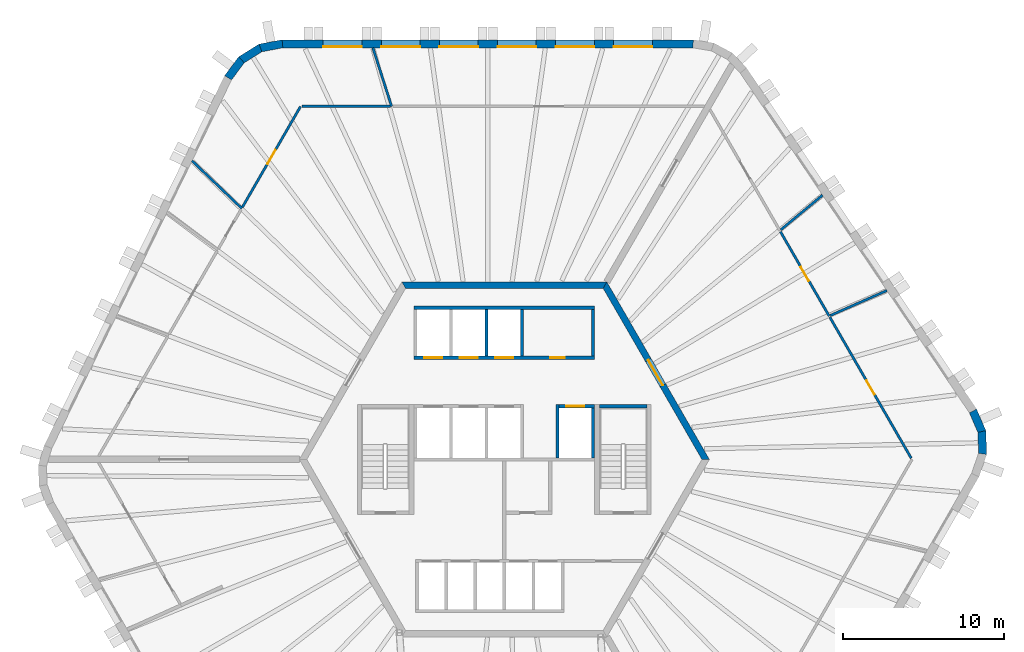
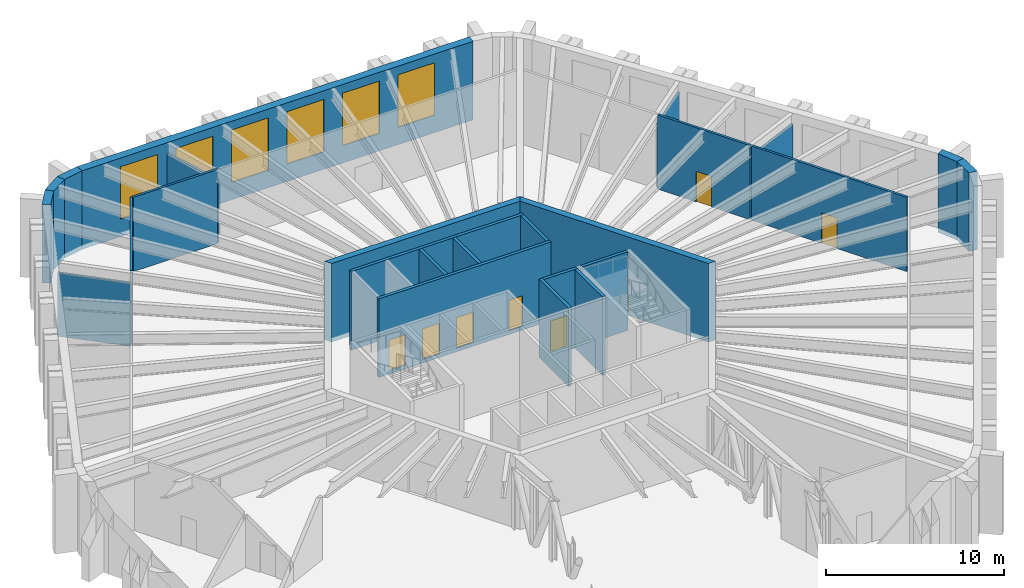
# One storey, part 6 of 9: 25 walls, 9 doors, 6 windows, 15 openings.
"""IFC4 building model written with IfcOpenShell, lengths in metres."""

from ifc_helpers import new_model, si_unit, direction, frame, frame_2d, origin, place, context, subcontext, project, spatial, polyline, rectangle, outline, extrude, material, layer, layer_set, type_object, element, fill, save


model = new_model("IFC4")

# Units and contexts
model_context = context("Model", 3, precision=1e-05, world=origin(), true_north=direction((0.0, 1.0)))
body_context = subcontext(model_context, "Body", "Model", "MODEL_VIEW")
ifc_project = project(units=[si_unit("LENGTHUNIT", "METRE"), si_unit("AREAUNIT", "SQUARE_METRE"), si_unit("VOLUMEUNIT", "CUBIC_METRE"), si_unit("PLANEANGLEUNIT", "RADIAN"), si_unit("MASSUNIT", "GRAM", prefix="KILO")], contexts=[model_context])

# Site, building, storey
site_placement = place(None, origin())
site = spatial("IfcSite", under=ifc_project, at=site_placement, CompositionType="ELEMENT")
building_placement = place(site_placement, origin())
building = spatial("IfcBuilding", under=site, at=building_placement, Name="Tarnside Tower", CompositionType="ELEMENT")
storey_placement = place(building_placement, frame((0.0, 0.0, 338.10009765625)))
storey = spatial("IfcBuildingStorey", under=building, at=storey_placement, Name="L82", CompositionType="ELEMENT", Elevation=338.10009765625)

# Wall, opening, door
ifc_material_1 = material(Name="Concrete C60/75", Category="concrete")
ifc_layer_1 = layer(ifc_material_1, 0.39990234375)
ifc_layer_set_1 = layer_set([ifc_layer_1], Name="Core wall Z3 400 C60/75")
wall_type_1 = type_object("IfcWallType", Name="Core wall Z3 400 C60/75", PredefinedType="SHEAR", material=ifc_layer_set_1)
wall_1_placement = place(storey_placement, frame((12.470703125, 0.0, -0.300048828125), z_axis=(0.0, 0.0, 1.0), x_axis=(-0.499996419489, 0.866027470984, 0.0)))
wall_1 = element("IfcWall", 1, at=wall_1_placement, inside=storey, type_object=wall_type_1, Name="L82 core wall face 6", PredefinedType="SHEAR", context=body_context, shape_type="SweptSolid", body=[
    extrude(outline(polyline([(-0.115478515625, -0.199951171875), (12.586181640625, -0.199951171875), (12.355224609375, 0.199951171875), (0.115478515625, 0.199951171875), (-0.115478515625, -0.199951171875)])), origin(), (0.0, 0.0, 1.0), 5.39990234375),
])
opening_1_placement = place(wall_1_placement, frame((5.306396484375, 0.0, 0.300048828125)))
opening_1 = element("IfcOpeningElement", 2, at=opening_1_placement, cuts=wall_1, Name="Opening CD-LOB", PredefinedType="OPENING", context=body_context, shape_type="SweptSolid", body=[
    extrude(rectangle(XDim=1.800048828125, YDim=2.39990234375, at=frame_2d((0.89990234375, 1.199951171875))), frame((0.0, 0.2099609375, 0.0), z_axis=(0.0, -1.0, 0.0), x_axis=(1.0, 0.0, 0.0)), (0.0, 0.0, 1.0), 0.419921875),
])
ifc_material_2 = material(Name="Steel fire door", Category="steel")
door_type_1 = type_object("IfcDoorType", Name="Lobby double door FD30S 1800x2400", OperationType="NOTDEFINED", PredefinedType="DOOR", material=ifc_material_2)
door_1_placement = place(opening_1_placement, origin())
door_1 = element("IfcDoor", 3, at=door_1_placement, inside=storey, type_object=door_type_1, Name="L82 core door P2", OperationType="DOUBLE_DOOR_SINGLE_SWING", OverallHeight=2.39990234375, OverallWidth=1.800048828125, PredefinedType="DOOR", context=body_context, shape_type="SweptSolid", body=[
    extrude(rectangle(XDim=1.800048828125, YDim=2.39990234375, at=frame_2d((0.89990234375, 1.199951171875))), frame((0.0, 0.02490234375, 0.0), z_axis=(0.0, -1.0, 0.0), x_axis=(1.0, 0.0, 0.0)), (0.0, 0.0, 1.0), 0.050048828125),
])
fill(opening_1, door_1)

# Wall
wall_2_placement = place(storey_placement, frame((6.2353515625, 10.800048828125, -0.300048828125), z_axis=(0.0, 0.0, 1.0), x_axis=(-1.0, 0.0, 0.0)))
element("IfcWall", 4, at=wall_2_placement, inside=storey, type_object=wall_type_1, Name="L82 core wall face 1", PredefinedType="SHEAR", context=body_context, shape_type="SweptSolid", body=[
    extrude(outline(polyline([(-0.115478515625, -0.199951171875), (12.586181640625, -0.199951171875), (12.355224609375, 0.199951171875), (0.115478515625, 0.199951171875), (-0.115478515625, -0.199951171875)])), origin(), (0.0, 0.0, 1.0), 5.39990234375),
])

# Wall, openings, doors
ifc_material_3 = material(Name="Concrete C40/50", Category="concrete")
ifc_layer_2 = layer(ifc_material_3, 0.199951171875)
ifc_layer_set_2 = layer_set([ifc_layer_2], Name="Lift shaft wall 200 C40/50")
wall_type_2 = type_object("IfcWallType", Name="Lift shaft wall 200 C40/50", PredefinedType="SHEAR", material=ifc_layer_set_2)
wall_3_placement = place(storey_placement, frame((-5.60009765625, 6.300048828125, -0.25), z_axis=(0.0, 0.0, 1.0), x_axis=(1.0, 0.0, 0.0)))
wall_3 = element("IfcWall", 5, at=wall_3_placement, inside=storey, type_object=wall_type_2, Name="L82 lift shaft front wall R1", PredefinedType="SHEAR", context=body_context, shape_type="SweptSolid", body=[
    extrude(rectangle(XDim=11.2001953125, YDim=0.199951171875, at=frame_2d((5.60009765625, 0.0))), origin(), (0.0, 0.0, 1.0), 5.39990234375),
])
opening_2_placement = place(wall_3_placement, frame((8.449951171875, 0.0, 0.25)))
opening_2 = element("IfcOpeningElement", 6, at=opening_2_placement, cuts=wall_3, Name="Opening CD-room", PredefinedType="OPENING", context=body_context, shape_type="SweptSolid", body=[
    extrude(rectangle(XDim=0.89990234375, YDim=2.10009765625, at=frame_2d((0.449951171875, 1.050048828125))), frame((0.0, 0.10986328125, 0.0), z_axis=(0.0, -1.0, 0.0), x_axis=(1.0, 0.0, 0.0)), (0.0, 0.0, 1.0), 0.219970703125),
])
opening_3_placement = place(wall_3_placement, frame((0.64990234375, 0.0, 0.25)))
opening_3 = element("IfcOpeningElement", 7, at=opening_3_placement, cuts=wall_3, Name="Opening LD", PredefinedType="OPENING", context=body_context, shape_type="SweptSolid", body=[
    extrude(rectangle(XDim=1.10009765625, YDim=2.10009765625, at=frame_2d((0.550048828125, 1.050048828125))), frame((0.0, 0.10986328125, 0.0), z_axis=(0.0, -1.0, 0.0), x_axis=(1.0, 0.0, 0.0)), (0.0, 0.0, 1.0), 0.219970703125),
])
opening_4_placement = place(wall_3_placement, frame((2.85009765625, 0.0, 0.25)))
opening_4 = element("IfcOpeningElement", 8, at=opening_4_placement, cuts=wall_3, Name="Opening LD", PredefinedType="OPENING", context=body_context, shape_type="SweptSolid", body=[
    extrude(rectangle(XDim=1.10009765625, YDim=2.10009765625, at=frame_2d((0.550048828125, 1.050048828125))), frame((0.0, 0.10986328125, 0.0), z_axis=(0.0, -1.0, 0.0), x_axis=(1.0, 0.0, 0.0)), (0.0, 0.0, 1.0), 0.219970703125),
])
opening_5_placement = place(wall_3_placement, frame((5.050048828125, 0.0, 0.25)))
opening_5 = element("IfcOpeningElement", 9, at=opening_5_placement, cuts=wall_3, Name="Opening LD", PredefinedType="OPENING", context=body_context, shape_type="SweptSolid", body=[
    extrude(rectangle(XDim=1.10009765625, YDim=2.10009765625, at=frame_2d((0.550048828125, 1.050048828125))), frame((0.0, 0.10986328125, 0.0), z_axis=(0.0, -1.0, 0.0), x_axis=(1.0, 0.0, 0.0)), (0.0, 0.0, 1.0), 0.219970703125),
])
ifc_material_4 = material(Name="Stainless steel", Category="steel")
door_type_2 = type_object("IfcDoorType", Name="Lift landing door 1100x2100", OperationType="NOTDEFINED", PredefinedType="DOOR", material=ifc_material_4)
door_2_placement = place(opening_3_placement, origin())
door_2 = element("IfcDoor", 10, at=door_2_placement, inside=storey, type_object=door_type_2, Name="High-rise lift 1 landing door L82", OperationType="SLIDING_TO_LEFT", OverallHeight=2.10009765625, OverallWidth=1.10009765625, PredefinedType="DOOR", context=body_context, shape_type="SweptSolid", body=[
    extrude(rectangle(XDim=1.10009765625, YDim=2.10009765625, at=frame_2d((0.550048828125, 1.050048828125))), frame((0.0, 0.02490234375, 0.0), z_axis=(0.0, -1.0, 0.0), x_axis=(1.0, 0.0, 0.0)), (0.0, 0.0, 1.0), 0.050048828125),
])
fill(opening_3, door_2)
door_3_placement = place(opening_4_placement, origin())
door_3 = element("IfcDoor", 11, at=door_3_placement, inside=storey, type_object=door_type_2, Name="High-rise lift 2 landing door L82", OperationType="SLIDING_TO_LEFT", OverallHeight=2.10009765625, OverallWidth=1.10009765625, PredefinedType="DOOR", context=body_context, shape_type="SweptSolid", body=[
    extrude(rectangle(XDim=1.10009765625, YDim=2.10009765625, at=frame_2d((0.550048828125, 1.050048828125))), frame((0.0, 0.02490234375, 0.0), z_axis=(0.0, -1.0, 0.0), x_axis=(1.0, 0.0, 0.0)), (0.0, 0.0, 1.0), 0.050048828125),
])
fill(opening_4, door_3)
door_4_placement = place(opening_5_placement, origin())
door_4 = element("IfcDoor", 12, at=door_4_placement, inside=storey, type_object=door_type_2, Name="High-rise lift 3 landing door L82", OperationType="SLIDING_TO_LEFT", OverallHeight=2.10009765625, OverallWidth=1.10009765625, PredefinedType="DOOR", context=body_context, shape_type="SweptSolid", body=[
    extrude(rectangle(XDim=1.10009765625, YDim=2.10009765625, at=frame_2d((0.550048828125, 1.050048828125))), frame((0.0, 0.02490234375, 0.0), z_axis=(0.0, -1.0, 0.0), x_axis=(1.0, 0.0, 0.0)), (0.0, 0.0, 1.0), 0.050048828125),
])
fill(opening_5, door_4)
door_type_3 = type_object("IfcDoorType", Name="Room door FD60 900x2100", OperationType="NOTDEFINED", PredefinedType="DOOR", material=ifc_material_2)
door_5_placement = place(opening_2_placement, origin())
door_5 = element("IfcDoor", 13, at=door_5_placement, inside=storey, type_object=door_type_3, Name="L82 core room door FC1", OperationType="SINGLE_SWING_LEFT", OverallHeight=2.10009765625, OverallWidth=0.89990234375, PredefinedType="DOOR", context=body_context, shape_type="SweptSolid", body=[
    extrude(rectangle(XDim=0.89990234375, YDim=2.10009765625, at=frame_2d((0.449951171875, 1.050048828125))), frame((0.0, 0.02490234375, 0.0), z_axis=(0.0, -1.0, 0.0), x_axis=(1.0, 0.0, 0.0)), (0.0, 0.0, 1.0), 0.050048828125),
])
fill(opening_2, door_5)

# Walls
wall_4_placement = place(storey_placement, frame((-5.60009765625, 9.39990234375, -0.25), z_axis=(0.0, 0.0, 1.0), x_axis=(1.0, 0.0, 0.0)))
element("IfcWall", 14, at=wall_4_placement, inside=storey, type_object=wall_type_2, Name="L82 lift shaft back wall R1", PredefinedType="SHEAR", context=body_context, shape_type="SweptSolid", body=[
    extrude(rectangle(XDim=11.2001953125, YDim=0.199951171875, at=frame_2d((5.60009765625, 0.0))), origin(), (0.0, 0.0, 1.0), 5.39990234375),
])
for number, where, z_axis, x_axis, name in (
    (15, (-1.10009765625, 6.39990234375, -0.25), (0.0, 0.0, 1.0), (0.0, 1.0, 0.0), "L82 lift shaft partition R13"),
    (16, (1.10009765625, 6.39990234375, -0.25), (0.0, 0.0, 1.0), (0.0, 1.0, 0.0), "L82 lift shaft partition R14"),
    (17, (5.5, 6.39990234375, -0.25), (0.0, 0.0, 1.0), (0.0, 1.0, 0.0), "L82 lift shaft partition R16"),
):
    element("IfcWall", number, at=place(storey_placement, frame(where, z_axis=z_axis, x_axis=x_axis)), inside=storey, type_object=wall_type_2, Name=name, PredefinedType="SHEAR", context=body_context, shape_type="SweptSolid", body=[
        extrude(rectangle(XDim=2.900146484375, YDim=0.199951171875, at=frame_2d((1.4501953125, 0.0))), origin(), (0.0, 0.0, 1.0), 5.39990234375),
    ])

# Wall, opening, door
wall_5_placement = place(storey_placement, frame((3.39990234375, 3.300048828125, -0.25), z_axis=(0.0, 0.0, 1.0), x_axis=(1.0, 0.0, 0.0)))
wall_5 = element("IfcWall", 18, at=wall_5_placement, inside=storey, type_object=wall_type_2, Name="L82 lift shaft front wall R2 2", PredefinedType="SHEAR", context=body_context, shape_type="SweptSolid", body=[
    extrude(rectangle(XDim=2.2001953125, YDim=0.199951171875, at=frame_2d((1.10009765625, 0.0))), origin(), (0.0, 0.0, 1.0), 5.39990234375),
])
opening_6_placement = place(wall_5_placement, frame((0.449951171875, 0.0, 0.25)))
opening_6 = element("IfcOpeningElement", 19, at=opening_6_placement, cuts=wall_5, Name="Opening LD", PredefinedType="OPENING", context=body_context, shape_type="SweptSolid", body=[
    extrude(rectangle(XDim=1.10009765625, YDim=2.10009765625, at=frame_2d((0.550048828125, 1.050048828125))), frame((0.0, 0.10986328125, 0.0), z_axis=(0.0, -1.0, 0.0), x_axis=(1.0, 0.0, 0.0)), (0.0, 0.0, 1.0), 0.219970703125),
])
door_6_placement = place(opening_6_placement, origin())
door_6 = element("IfcDoor", 20, at=door_6_placement, inside=storey, type_object=door_type_2, Name="Express sky-lobby shuttle 2 landing door L82", OperationType="SLIDING_TO_LEFT", OverallHeight=2.10009765625, OverallWidth=1.10009765625, PredefinedType="DOOR", context=body_context, shape_type="SweptSolid", body=[
    extrude(rectangle(XDim=1.10009765625, YDim=2.10009765625, at=frame_2d((0.550048828125, 1.050048828125))), frame((0.0, 0.02490234375, 0.0), z_axis=(0.0, -1.0, 0.0), x_axis=(1.0, 0.0, 0.0)), (0.0, 0.0, 1.0), 0.050048828125),
])
fill(opening_6, door_6)

# Walls
wall_6_placement = place(storey_placement, frame((3.300048828125, 0.10009765625, -0.25), z_axis=(0.0, 0.0, 1.0), x_axis=(0.0, 1.0, 0.0)))
element("IfcWall", 21, at=wall_6_placement, inside=storey, type_object=wall_type_2, Name="L82 lift shaft partition R25", PredefinedType="SHEAR", context=body_context, shape_type="SweptSolid", body=[
    extrude(rectangle(XDim=3.2998046875, YDim=0.199951171875, at=frame_2d((1.64990234375, 0.0))), origin(), (0.0, 0.0, 1.0), 5.39990234375),
])
wall_7_placement = place(storey_placement, frame((5.5, 0.10009765625, -0.25), z_axis=(0.0, 0.0, 1.0), x_axis=(0.0, 1.0, 0.0)))
element("IfcWall", 22, at=wall_7_placement, inside=storey, type_object=wall_type_2, Name="L82 lift shaft partition R26", PredefinedType="SHEAR", context=body_context, shape_type="SweptSolid", body=[
    extrude(rectangle(XDim=3.099853515625, YDim=0.199951171875, at=frame_2d((1.5498046875, 0.0))), origin(), (0.0, 0.0, 1.0), 5.39990234375),
])
wall_8_placement = place(storey_placement, frame((5.89990234375, 3.300048828125, -0.25), z_axis=(0.0, 0.0, 1.0), x_axis=(1.0, 0.0, 0.0)))
element("IfcWall", 23, at=wall_8_placement, inside=storey, type_object=wall_type_2, Name="L82 stair 1 enclosure cap wall n", PredefinedType="SHEAR", context=body_context, shape_type="SweptSolid", body=[
    extrude(rectangle(XDim=2.9501953125, YDim=0.199951171875, at=frame_2d((1.47509765625, 0.0))), origin(), (0.0, 0.0, 1.0), 5.39990234375),
])
ifc_material_5 = material(Name="Gypsum board")
ifc_layer_3 = layer(ifc_material_5, 0.14990234375)
ifc_layer_set_3 = layer_set([ifc_layer_3], Name="Partition 150 gypsum board on metal stud")
wall_type_3 = type_object("IfcWallType", Name="Partition 150 gypsum board on metal stud", PredefinedType="PARTITIONING", material=ifc_layer_set_3)
wall_9_placement = place(storey_placement, frame((-19.34912109375, 18.4990234375, 0.0), z_axis=(0.0, 0.0, 1.0), x_axis=(0.722785064333, -0.691072898309, 0.0)))
element("IfcWall", 24, at=wall_9_placement, inside=storey, type_object=wall_type_3, Name="Partition 008", PredefinedType="PARTITIONING", context=body_context, shape_type="SweptSolid", body=[
    extrude(rectangle(XDim=4.25732421875, YDim=0.14990234375, at=frame_2d((2.128662109375, 0.0))), origin(), (0.0, 0.0, 1.0), 4.345947265625),
])

# Wall, opening, door
wall_10_placement = place(storey_placement, frame((-16.2333984375, 15.623779296875, 0.0), z_axis=(0.0, 0.0, 1.0), x_axis=(0.500012524703, 0.866018172523, 0.0)))
wall_10 = element("IfcWall", 25, at=wall_10_placement, inside=storey, type_object=wall_type_3, Name="Partition 012", PredefinedType="PARTITIONING", context=body_context, shape_type="SweptSolid", body=[
    extrude(rectangle(XDim=7.212646484375, YDim=0.14990234375, at=frame_2d((3.6064453125, 0.0))), origin(), (0.0, 0.0, 1.0), 5.099853515625),
])
opening_7_placement = place(wall_10_placement, frame((3.106201171875, 0.0, 0.0)))
opening_7 = element("IfcOpeningElement", 26, at=opening_7_placement, cuts=wall_10, Name="Opening D1000F30", PredefinedType="OPENING", context=body_context, shape_type="SweptSolid", body=[
    extrude(rectangle(XDim=1.0, YDim=2.10009765625, at=frame_2d((0.5, 1.050048828125))), frame((0.0, 0.0849609375, 0.0), z_axis=(0.0, -1.0, 0.0), x_axis=(1.0, 0.0, 0.0)), (0.0, 0.0, 1.0), 0.169921875),
])
ifc_material_6 = material(Name="Timber door leaf", Category="wood")
door_type_4 = type_object("IfcDoorType", Name="Door 1000 x 2100 single leaf FD30S fire door", OperationType="NOTDEFINED", PredefinedType="DOOR", material=ifc_material_6)
door_7_placement = place(opening_7_placement, origin())
door_7 = element("IfcDoor", 27, at=door_7_placement, inside=storey, type_object=door_type_4, Name="Door L82-06", OperationType="SINGLE_SWING_LEFT", OverallHeight=2.10009765625, OverallWidth=1.0, PredefinedType="DOOR", context=body_context, shape_type="SweptSolid", body=[
    extrude(rectangle(XDim=1.0, YDim=2.10009765625, at=frame_2d((0.5, 1.050048828125))), frame((0.0, 0.02490234375, 0.0), z_axis=(0.0, -1.0, 0.0), x_axis=(1.0, 0.0, 0.0)), (0.0, 0.0, 1.0), 0.050048828125),
])
fill(opening_7, door_7)

# Walls
wall_11_placement = place(storey_placement, frame((-8.14501953125, 25.5, 0.0), z_axis=(0.0, 0.0, 1.0), x_axis=(0.304382836825, -0.952549782765, 0.0)))
element("IfcWall", 28, at=wall_11_placement, inside=storey, type_object=wall_type_3, Name="Partition 013", PredefinedType="PARTITIONING", context=body_context, shape_type="SweptSolid", body=[
    extrude(rectangle(XDim=3.810791015625, YDim=0.14990234375, at=frame_2d((1.9052734375, 0.0))), origin(), (0.0, 0.0, 1.0), 4.345947265625),
])
wall_12_placement = place(storey_placement, frame((-7.063720703125, 21.8701171875, 0.0), z_axis=(0.0, 0.0, 1.0), x_axis=(-1.0, 0.0, 0.0)))
element("IfcWall", 29, at=wall_12_placement, inside=storey, type_object=wall_type_3, Name="Partition 014", PredefinedType="PARTITIONING", context=body_context, shape_type="SweptSolid", body=[
    extrude(rectangle(XDim=5.4765625, YDim=0.14990234375, at=frame_2d((2.73828125, 0.0))), origin(), (0.0, 0.0, 1.0), 5.099853515625),
])
wall_13_placement = place(storey_placement, frame((19.714111328125, 16.3740234375, 0.0), z_axis=(0.0, 0.0, 1.0), x_axis=(-0.769119005656, -0.639105589976, 0.0)))
element("IfcWall", 30, at=wall_13_placement, inside=storey, type_object=wall_type_3, Name="Partition 021", PredefinedType="PARTITIONING", context=body_context, shape_type="SweptSolid", body=[
    extrude(rectangle(XDim=3.36328125, YDim=0.14990234375, at=frame_2d((1.681640625, 0.0))), origin(), (0.0, 0.0, 1.0), 4.345947265625),
])

# Wall, opening, door
wall_14_placement = place(storey_placement, frame((17.10693359375, 14.110107421875, 0.0), z_axis=(0.0, 0.0, 1.0), x_axis=(0.499976943081, -0.866038715293, 0.0)))
wall_14 = element("IfcWall", 31, at=wall_14_placement, inside=storey, type_object=wall_type_3, Name="Partition 022", PredefinedType="PARTITIONING", context=body_context, shape_type="SweptSolid", body=[
    extrude(rectangle(XDim=6.034423828125, YDim=0.14990234375, at=frame_2d((3.01708984375, 0.0))), origin(), (0.0, 0.0, 1.0), 5.099853515625),
])
opening_8_placement = place(wall_14_placement, frame((2.51708984375, 0.0, 0.0)))
opening_8 = element("IfcOpeningElement", 32, at=opening_8_placement, cuts=wall_14, Name="Opening D1000F30", PredefinedType="OPENING", context=body_context, shape_type="SweptSolid", body=[
    extrude(rectangle(XDim=1.0, YDim=2.10009765625, at=frame_2d((0.5, 1.050048828125))), frame((0.0, 0.0849609375, 0.0), z_axis=(0.0, -1.0, 0.0), x_axis=(1.0, 0.0, 0.0)), (0.0, 0.0, 1.0), 0.169921875),
])
door_8_placement = place(opening_8_placement, origin())
door_8 = element("IfcDoor", 33, at=door_8_placement, inside=storey, type_object=door_type_4, Name="Door L82-11", OperationType="SINGLE_SWING_RIGHT", OverallHeight=2.10009765625, OverallWidth=1.0, PredefinedType="DOOR", context=body_context, shape_type="SweptSolid", body=[
    extrude(rectangle(XDim=1.0, YDim=2.10009765625, at=frame_2d((0.5, 1.050048828125))), frame((0.0, 0.02490234375, 0.0), z_axis=(0.0, -1.0, 0.0), x_axis=(1.0, 0.0, 0.0)), (0.0, 0.0, 1.0), 0.050048828125),
])
fill(opening_8, door_8)

# Wall
wall_15_placement = place(storey_placement, frame((23.700927734375, 10.462890625, 0.0), z_axis=(0.0, 0.0, 1.0), x_axis=(-0.914843094331, -0.403809500574, 0.0)))
element("IfcWall", 34, at=wall_15_placement, inside=storey, type_object=wall_type_3, Name="Partition 024", PredefinedType="PARTITIONING", context=body_context, shape_type="SweptSolid", body=[
    extrude(rectangle(XDim=3.834228515625, YDim=0.14990234375, at=frame_2d((1.9169921875, 0.0))), origin(), (0.0, 0.0, 1.0), 4.345947265625),
])

# Wall, opening, door
wall_16_placement = place(storey_placement, frame((20.16162109375, 8.818603515625, 0.0), z_axis=(0.0, 0.0, 1.0), x_axis=(0.499995964007, -0.866027733953, 0.0)))
wall_16 = element("IfcWall", 35, at=wall_16_placement, inside=storey, type_object=wall_type_3, Name="Partition 025", PredefinedType="PARTITIONING", context=body_context, shape_type="SweptSolid", body=[
    extrude(rectangle(XDim=10.09619140625, YDim=0.14990234375, at=frame_2d((5.048095703125, 0.0))), origin(), (0.0, 0.0, 1.0), 5.099853515625),
])
opening_9_placement = place(wall_16_placement, frame((4.548095703125, 0.0, 0.0)))
opening_9 = element("IfcOpeningElement", 36, at=opening_9_placement, cuts=wall_16, Name="Opening D1000F30", PredefinedType="OPENING", context=body_context, shape_type="SweptSolid", body=[
    extrude(rectangle(XDim=1.0, YDim=2.10009765625, at=frame_2d((0.5, 1.050048828125))), frame((0.0, 0.0849609375, 0.0), z_axis=(0.0, -1.0, 0.0), x_axis=(1.0, 0.0, 0.0)), (0.0, 0.0, 1.0), 0.169921875),
])
door_9_placement = place(opening_9_placement, origin())
door_9 = element("IfcDoor", 37, at=door_9_placement, inside=storey, type_object=door_type_4, Name="Door L82-12", OperationType="SINGLE_SWING_LEFT", OverallHeight=2.10009765625, OverallWidth=1.0, PredefinedType="DOOR", context=body_context, shape_type="SweptSolid", body=[
    extrude(rectangle(XDim=1.0, YDim=2.10009765625, at=frame_2d((0.5, 1.050048828125))), frame((0.0, 0.02490234375, 0.0), z_axis=(0.0, -1.0, 0.0), x_axis=(1.0, 0.0, 0.0)), (0.0, 0.0, 1.0), 0.050048828125),
])
fill(opening_9, door_9)

# Wall, openings, windows
ifc_material_7 = material(Name="Facing brick", Category="masonry")
ifc_layer_4 = layer(ifc_material_7, 0.10205078125)
ifc_material_8 = material(Name="Concrete C60/75 precast", Category="concrete")
ifc_layer_5 = layer(ifc_material_8, 0.298095703125)
ifc_material_9 = material(Name="Mineral wool insulation")
ifc_layer_6 = layer(ifc_material_9, 0.10009765625)
ifc_layer_set_4 = layer_set([ifc_layer_4, ifc_layer_5, ifc_layer_6], Name="Tube wall 500 brick faced")
wall_type_4 = type_object("IfcWallType", Name="Tube wall 500 brick faced", PredefinedType="SOLIDWALL", material=ifc_layer_set_4)
wall_17_placement = place(storey_placement, frame((11.697509765625, 25.75, -0.300048828125), z_axis=(0.0, 0.0, 1.0), x_axis=(-1.0, 0.0, 0.0)))
wall_17 = element("IfcWall", 38, at=wall_17_placement, inside=storey, type_object=wall_type_4, Name="Tube wall L82 F1 flush 00", PredefinedType="SOLIDWALL", context=body_context, shape_type="SweptSolid", body=[
    extrude(outline(polyline([(-0.0205078125, -0.25), (25.468017578125, -0.25), (25.421142578125, 0.25), (0.0205078125, 0.25), (-0.0205078125, -0.25)])), origin(), (0.0, 0.0, 1.0), 5.39990234375),
])
opening_10_placement = place(wall_17_placement, frame((2.5224609375, 0.0, 1.199951171875)))
opening_10 = element("IfcOpeningElement", 39, at=opening_10_placement, cuts=wall_17, Name="Opening WA", PredefinedType="OPENING", context=body_context, shape_type="SweptSolid", body=[
    extrude(rectangle(XDim=2.39990234375, YDim=3.60009765625, at=frame_2d((1.199951171875, 1.800048828125))), frame((0.0, 0.260009765625, 0.0), z_axis=(0.0, -1.0, 0.0), x_axis=(1.0, 0.0, 0.0)), (0.0, 0.0, 1.0), 0.52001953125),
])
opening_11_placement = place(wall_17_placement, frame((6.122314453125, 0.0, 1.199951171875)))
opening_11 = element("IfcOpeningElement", 40, at=opening_11_placement, cuts=wall_17, Name="Opening WA", PredefinedType="OPENING", context=body_context, shape_type="SweptSolid", body=[
    extrude(rectangle(XDim=2.39990234375, YDim=3.60009765625, at=frame_2d((1.199951171875, 1.800048828125))), frame((0.0, 0.260009765625, 0.0), z_axis=(0.0, -1.0, 0.0), x_axis=(1.0, 0.0, 0.0)), (0.0, 0.0, 1.0), 0.52001953125),
])
opening_12_placement = place(wall_17_placement, frame((9.722412109375, 0.0, 1.199951171875)))
opening_12 = element("IfcOpeningElement", 41, at=opening_12_placement, cuts=wall_17, Name="Opening WA", PredefinedType="OPENING", context=body_context, shape_type="SweptSolid", body=[
    extrude(rectangle(XDim=2.39990234375, YDim=3.60009765625, at=frame_2d((1.199951171875, 1.800048828125))), frame((0.0, 0.260009765625, 0.0), z_axis=(0.0, -1.0, 0.0), x_axis=(1.0, 0.0, 0.0)), (0.0, 0.0, 1.0), 0.52001953125),
])
opening_13_placement = place(wall_17_placement, frame((13.322509765625, 0.0, 1.199951171875)))
opening_13 = element("IfcOpeningElement", 42, at=opening_13_placement, cuts=wall_17, Name="Opening WA", PredefinedType="OPENING", context=body_context, shape_type="SweptSolid", body=[
    extrude(rectangle(XDim=2.39990234375, YDim=3.60009765625, at=frame_2d((1.199951171875, 1.800048828125))), frame((0.0, 0.260009765625, 0.0), z_axis=(0.0, -1.0, 0.0), x_axis=(1.0, 0.0, 0.0)), (0.0, 0.0, 1.0), 0.52001953125),
])
opening_14_placement = place(wall_17_placement, frame((16.92236328125, 0.0, 1.199951171875)))
opening_14 = element("IfcOpeningElement", 43, at=opening_14_placement, cuts=wall_17, Name="Opening WA", PredefinedType="OPENING", context=body_context, shape_type="SweptSolid", body=[
    extrude(rectangle(XDim=2.39990234375, YDim=3.60009765625, at=frame_2d((1.199951171875, 1.800048828125))), frame((0.0, 0.260009765625, 0.0), z_axis=(0.0, -1.0, 0.0), x_axis=(1.0, 0.0, 0.0)), (0.0, 0.0, 1.0), 0.52001953125),
])
opening_15_placement = place(wall_17_placement, frame((20.5224609375, 0.0, 1.199951171875)))
opening_15 = element("IfcOpeningElement", 44, at=opening_15_placement, cuts=wall_17, Name="Opening WA", PredefinedType="OPENING", context=body_context, shape_type="SweptSolid", body=[
    extrude(rectangle(XDim=2.39990234375, YDim=3.60009765625, at=frame_2d((1.199951171875, 1.800048828125))), frame((0.0, 0.260009765625, 0.0), z_axis=(0.0, -1.0, 0.0), x_axis=(1.0, 0.0, 0.0)), (0.0, 0.0, 1.0), 0.52001953125),
])
ifc_material_10 = material(Name="Aluminium-framed double glazing", Category="aluminium")
window_type = type_object("IfcWindowType", Name="Amenity window 2400 x 3600", PartitioningType="DOUBLE_PANEL_VERTICAL", PredefinedType="WINDOW", material=ifc_material_10)
window_1_placement = place(opening_10_placement, frame((0.0, 0.179931640625, 0.0)))
window_1 = element("IfcWindow", 45, at=window_1_placement, inside=storey, type_object=window_type, Name="E.WN.L82.F1.00", OverallHeight=3.60009765625, OverallWidth=2.39990234375, PartitioningType="DOUBLE_PANEL_VERTICAL", PredefinedType="WINDOW", context=body_context, shape_type="SweptSolid", body=[
    extrude(rectangle(XDim=2.39990234375, YDim=3.60009765625, at=frame_2d((1.199951171875, 1.800048828125))), frame((0.0, 0.030029296875, 0.0), z_axis=(0.0, -1.0, 0.0), x_axis=(1.0, 0.0, 0.0)), (0.0, 0.0, 1.0), 0.06005859375),
])
fill(opening_10, window_1)
window_2_placement = place(opening_11_placement, frame((0.0, 0.179931640625, 0.0)))
window_2 = element("IfcWindow", 46, at=window_2_placement, inside=storey, type_object=window_type, Name="E.WN.L82.F1.01", OverallHeight=3.60009765625, OverallWidth=2.39990234375, PartitioningType="DOUBLE_PANEL_VERTICAL", PredefinedType="WINDOW", context=body_context, shape_type="SweptSolid", body=[
    extrude(rectangle(XDim=2.39990234375, YDim=3.60009765625, at=frame_2d((1.199951171875, 1.800048828125))), frame((0.0, 0.030029296875, 0.0), z_axis=(0.0, -1.0, 0.0), x_axis=(1.0, 0.0, 0.0)), (0.0, 0.0, 1.0), 0.06005859375),
])
fill(opening_11, window_2)
window_3_placement = place(opening_12_placement, frame((0.0, 0.179931640625, 0.0)))
window_3 = element("IfcWindow", 47, at=window_3_placement, inside=storey, type_object=window_type, Name="E.WN.L82.F1.02", OverallHeight=3.60009765625, OverallWidth=2.39990234375, PartitioningType="DOUBLE_PANEL_VERTICAL", PredefinedType="WINDOW", context=body_context, shape_type="SweptSolid", body=[
    extrude(rectangle(XDim=2.39990234375, YDim=3.60009765625, at=frame_2d((1.199951171875, 1.800048828125))), frame((0.0, 0.030029296875, 0.0), z_axis=(0.0, -1.0, 0.0), x_axis=(1.0, 0.0, 0.0)), (0.0, 0.0, 1.0), 0.06005859375),
])
fill(opening_12, window_3)
window_4_placement = place(opening_13_placement, frame((0.0, 0.179931640625, 0.0)))
window_4 = element("IfcWindow", 48, at=window_4_placement, inside=storey, type_object=window_type, Name="E.WN.L82.F1.03", OverallHeight=3.60009765625, OverallWidth=2.39990234375, PartitioningType="DOUBLE_PANEL_VERTICAL", PredefinedType="WINDOW", context=body_context, shape_type="SweptSolid", body=[
    extrude(rectangle(XDim=2.39990234375, YDim=3.60009765625, at=frame_2d((1.199951171875, 1.800048828125))), frame((0.0, 0.030029296875, 0.0), z_axis=(0.0, -1.0, 0.0), x_axis=(1.0, 0.0, 0.0)), (0.0, 0.0, 1.0), 0.06005859375),
])
fill(opening_13, window_4)
window_5_placement = place(opening_14_placement, frame((0.0, 0.179931640625, 0.0)))
window_5 = element("IfcWindow", 49, at=window_5_placement, inside=storey, type_object=window_type, Name="E.WN.L82.F1.04", OverallHeight=3.60009765625, OverallWidth=2.39990234375, PartitioningType="DOUBLE_PANEL_VERTICAL", PredefinedType="WINDOW", context=body_context, shape_type="SweptSolid", body=[
    extrude(rectangle(XDim=2.39990234375, YDim=3.60009765625, at=frame_2d((1.199951171875, 1.800048828125))), frame((0.0, 0.030029296875, 0.0), z_axis=(0.0, -1.0, 0.0), x_axis=(1.0, 0.0, 0.0)), (0.0, 0.0, 1.0), 0.06005859375),
])
fill(opening_14, window_5)
window_6_placement = place(opening_15_placement, frame((0.0, 0.179931640625, 0.0)))
window_6 = element("IfcWindow", 50, at=window_6_placement, inside=storey, type_object=window_type, Name="E.WN.L82.F1.05", OverallHeight=3.60009765625, OverallWidth=2.39990234375, PartitioningType="DOUBLE_PANEL_VERTICAL", PredefinedType="WINDOW", context=body_context, shape_type="SweptSolid", body=[
    extrude(rectangle(XDim=2.39990234375, YDim=3.60009765625, at=frame_2d((1.199951171875, 1.800048828125))), frame((0.0, 0.030029296875, 0.0), z_axis=(0.0, -1.0, 0.0), x_axis=(1.0, 0.0, 0.0)), (0.0, 0.0, 1.0), 0.06005859375),
])
fill(opening_15, window_6)

# Walls
wall_18_placement = place(storey_placement, frame((-13.7470703125, 25.75, -0.300048828125), z_axis=(0.0, 0.0, 1.0), x_axis=(-0.982736538448, -0.185010529429, 0.0)))
element("IfcWall", 51, at=wall_18_placement, inside=storey, type_object=wall_type_4, Name="Tube wall L82 F1 chord 01", PredefinedType="SOLIDWALL", context=body_context, shape_type="SweptSolid", body=[
    extrude(outline(polyline([(-0.0234375, -0.25), (1.435302734375, -0.25), (1.341064453125, 0.25), (0.0234375, 0.25), (-0.0234375, -0.25)])), origin(), (0.0, 0.0, 1.0), 5.39990234375),
])
wall_19_placement = place(storey_placement, frame((-15.111328125, 25.4931640625, -0.300048828125), z_axis=(0.0, 0.0, 1.0), x_axis=(-0.847978544293, -0.530030554231, 0.0)))
element("IfcWall", 52, at=wall_19_placement, inside=storey, type_object=wall_type_4, Name="Tube wall L82 F1 chord 02", PredefinedType="SOLIDWALL", context=body_context, shape_type="SweptSolid", body=[
    extrude(outline(polyline([(-0.047119140625, -0.25), (1.435302734375, -0.25), (1.341064453125, 0.25), (0.047119140625, 0.25), (-0.047119140625, -0.25)])), origin(), (0.0, 0.0, 1.0), 5.39990234375),
])
wall_20_placement = place(storey_placement, frame((-16.28857421875, 24.75732421875, -0.300048828125), z_axis=(0.0, 0.0, 1.0), x_axis=(-0.597210785942, -0.802084332945, 0.0)))
element("IfcWall", 53, at=wall_20_placement, inside=storey, type_object=wall_type_4, Name="Tube wall L82 F1 chord 03", PredefinedType="SOLIDWALL", context=body_context, shape_type="SweptSolid", body=[
    extrude(outline(polyline([(-0.047119140625, -0.25), (1.41162109375, -0.25), (1.36474609375, 0.25), (0.047119140625, 0.25), (-0.047119140625, -0.25)])), origin(), (0.0, 0.0, 1.0), 5.39990234375),
])
wall_21_placement = place(storey_placement, frame((29.63330078125, 0.34033203125, -0.300048828125), z_axis=(0.0, 0.0, 1.0), x_axis=(-0.034825746769, 0.999393399699, 0.0)))
element("IfcWall", 54, at=wall_21_placement, inside=storey, type_object=wall_type_4, Name="Tube wall L82 F5 chord 18", PredefinedType="SOLIDWALL", context=body_context, shape_type="SweptSolid", body=[
    extrude(outline(polyline([(-0.047119140625, -0.25), (1.43505859375, -0.25), (1.3408203125, 0.25), (0.047119140625, 0.25), (-0.047119140625, -0.25)])), origin(), (0.0, 0.0, 1.0), 5.39990234375),
])
wall_22_placement = place(storey_placement, frame((29.5849609375, 1.7275390625, -0.300048828125), z_axis=(0.0, 0.0, 1.0), x_axis=(-0.396146339195, 0.918187387162, 0.0)))
element("IfcWall", 55, at=wall_22_placement, inside=storey, type_object=wall_type_4, Name="Tube wall L82 F5 chord 19", PredefinedType="SOLIDWALL", context=body_context, shape_type="SweptSolid", body=[
    extrude(outline(polyline([(-0.047119140625, -0.25), (1.411865234375, -0.25), (1.364990234375, 0.25), (0.047119140625, 0.25), (-0.047119140625, -0.25)])), origin(), (0.0, 0.0, 1.0), 5.39990234375),
])

save(model, "model.ifc")
